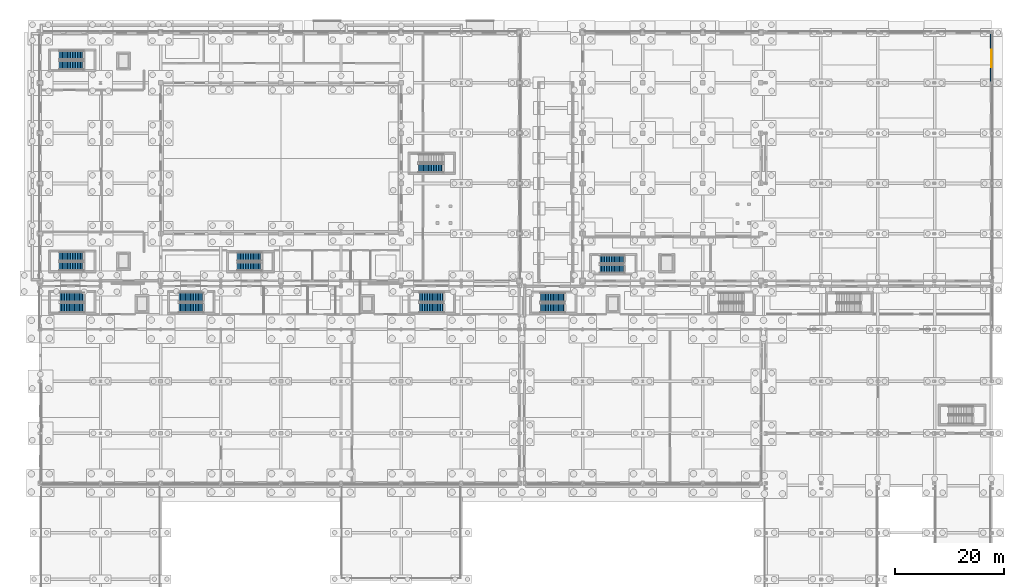
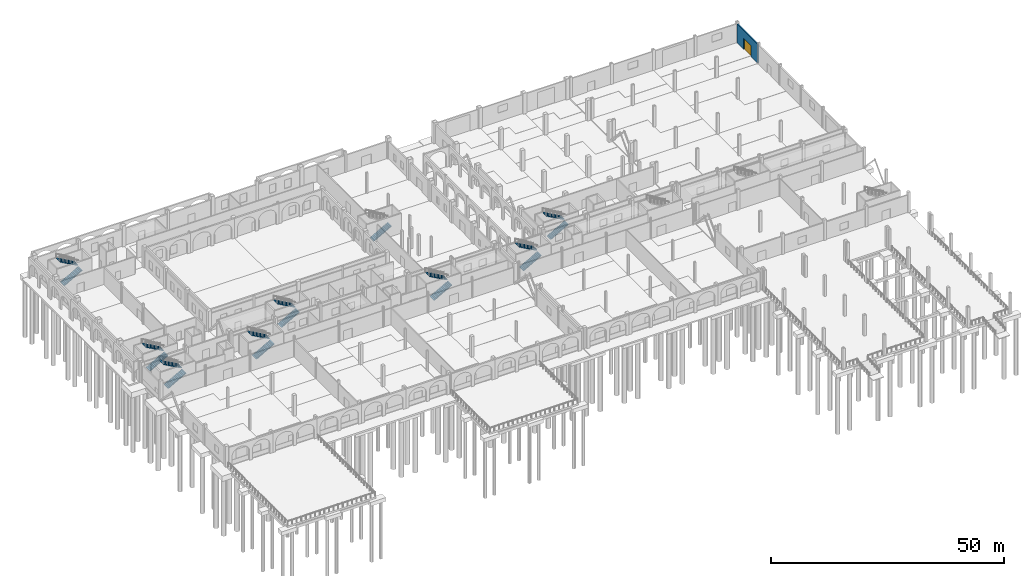
# One storey, part 63 of 83: 17 stair flights, 1 door, 1 wall, 1 opening, 9 elements without a shape of their own.
"""IFC4 building model written with IfcOpenShell, lengths in metres."""

from ifc_helpers import new_model, si_unit, direction, frame, frame_2d, origin, place, context, subcontext, project, spatial, polyline, rectangle, outline, extrude, material, layer, layer_set, type_object, element, fill, aggregate, save


model = new_model("IFC4")

# Units and contexts
model_context = context("Model", 3, precision=1e-05, world=origin(), true_north=direction((0.0, 1.0)))
body_context = subcontext(model_context, "Body", "Model", "MODEL_VIEW")
ifc_project = project(units=[si_unit("LENGTHUNIT", "METRE"), si_unit("AREAUNIT", "SQUARE_METRE"), si_unit("VOLUMEUNIT", "CUBIC_METRE"), si_unit("PLANEANGLEUNIT", "RADIAN"), si_unit("MASSUNIT", "GRAM", prefix="KILO")], contexts=[model_context])

# Site, building, storey
site_placement = place(None, origin())
site = spatial("IfcSite", under=ifc_project, at=site_placement, CompositionType="ELEMENT")
building_placement = place(site_placement, origin())
building = spatial("IfcBuilding", under=site, at=building_placement, Name="Caurita Quay Ferry Terminal", CompositionType="ELEMENT")
storey_placement = place(building_placement, origin())
storey = spatial("IfcBuildingStorey", under=building, at=storey_placement, Name="L00", CompositionType="ELEMENT", Elevation=0.0)

# Wall, opening, door
ifc_material_1 = material(Name="Warm-white lime stucco masonry", Category="masonry")
ifc_layer = layer(ifc_material_1, 0.340087890625, Name="Exterior solidwall wall 340 mm")
ifc_layer_set = layer_set([ifc_layer], Name="Warm-white lime stucco masonry")
wall_type = type_object("IfcWallType", Name="WL-EXT-340", PredefinedType="SOLIDWALL", material=ifc_layer_set)
wall_placement = place(storey_placement, frame((174.0, 107.97607421875, 0.0), z_axis=(0.0, 0.0, 1.0), x_axis=(0.0, 1.0, 0.0)))
wall = element("IfcWall", 1, at=wall_placement, inside=storey, type_object=wall_type, Name="L00 Exterior Wall EW-L00-234", PredefinedType="SOLIDWALL", context=body_context, shape_type="SweptSolid", body=[
    extrude(rectangle(XDim=8.847900390625, YDim=0.340087890625, at=frame_2d((4.423828125, 0.0))), origin(), (0.0, 0.0, 1.0), 4.897705078125),
])
opening_placement = place(wall_placement, frame((2.72412109375, 0.0, 0.0)))
opening = element("IfcOpeningElement", 2, at=opening_placement, cuts=wall, Name="Opening VG-04", PredefinedType="OPENING", context=body_context, shape_type="SweptSolid", body=[
    extrude(rectangle(XDim=3.199951171875, YDim=2.800048828125, at=frame_2d((1.60009765625, 1.39990234375))), frame((0.0, 0.179931640625, 0.0), z_axis=(0.0, -1.0, 0.0), x_axis=(1.0, 0.0, 0.0)), (0.0, 0.0, 1.0), 0.360107421875),
])
ifc_material_2 = material(Name="Bronze architectural metalwork", Category="metal")
door_type = type_object("IfcDoorType", Name="GT-APR-3228", OperationType="ROLLINGUP", PredefinedType="GATE", material=ifc_material_2)
door_placement = place(opening_placement, frame((3.199951171875, 0.0, 0.0), z_axis=(0.0, 0.0, 1.0), x_axis=(-1.0, 0.0, 0.0)))
door = element("IfcDoor", 3, at=door_placement, inside=storey, type_object=door_type, Name="Marine Apron Service Gate VG-05", OperationType="ROLLINGUP", OverallHeight=2.800048828125, OverallWidth=3.199951171875, PredefinedType="GATE", context=body_context, shape_type="SweptSolid", body=[
    extrude(rectangle(XDim=3.199951171875, YDim=2.800048828125, at=frame_2d((1.60009765625, 1.39990234375))), frame((0.0, 0.02490234375, 0.0), z_axis=(0.0, -1.0, 0.0), x_axis=(1.0, 0.0, 0.0)), (0.0, 0.0, 1.0), 0.050048828125),
])
fill(opening, door)

# Stair, stair flights
ifc_material_3 = material(Name="Reinforced concrete C35/45", Category="concrete")
stair_type_1 = type_object("IfcStairType", Name="STR-DL-01", PredefinedType="HALF_TURN_STAIR", material=ifc_material_3)
stair_1_placement = place(storey_placement, origin())
stair_1 = element("IfcStair", 4, at=stair_1_placement, inside=storey, type_object=stair_type_1, Name="L00 Protected Exit Stair ST-01", PredefinedType="HALF_TURN_STAIR")
stair_flight_type_1 = type_object("IfcStairFlightType", Name="FLT-DL-01", PredefinedType="STRAIGHT", material=ifc_material_3)
stair_flight_1_placement = place(storey_placement, frame((3.449951171875, 111.02490234375, 0.0), z_axis=(0.0, 0.0, 1.0), x_axis=(1.0, 0.0, 0.0)))
stair_flight_1 = element("IfcStairFlight", 5, at=stair_flight_1_placement, type_object=stair_flight_type_1, Name="ST-01 flight 1", NumberOfRisers=16, NumberOfTreads=15, PredefinedType="STRAIGHT", RiserHeight=0.16875, TreadLength=0.3, context=body_context, shape_type="SweptSolid", body=[
    extrude(outline(polyline([(0.0, 0.0), (0.0, 0.168701171875), (0.300048828125, 0.168701171875), (0.300048828125, 0.33740234375), (0.60009765625, 0.33740234375), (0.60009765625, 0.50634765625), (0.89990234375, 0.50634765625), (0.89990234375, 0.675048828125), (1.199951171875, 0.675048828125), (1.199951171875, 0.84375), (1.5, 0.84375), (1.5, 1.012451171875), (1.800048828125, 1.012451171875), (1.800048828125, 1.18115234375), (2.10009765625, 1.18115234375), (2.10009765625, 1.35009765625), (2.39990234375, 1.35009765625), (2.39990234375, 1.518798828125), (2.699951171875, 1.518798828125), (2.699951171875, 1.6875), (3.0, 1.6875), (3.0, 1.856201171875), (3.300048828125, 1.856201171875), (3.300048828125, 2.02490234375), (3.60009765625, 2.02490234375), (3.60009765625, 2.19384765625), (3.89990234375, 2.19384765625), (3.89990234375, 2.362548828125), (4.199951171875, 2.362548828125), (4.199951171875, 2.53125), (4.5, 2.53125), (4.5, 2.699951171875), (4.5, 2.359375), (0.3056640625, 0.0), (0.0, 0.0)])), frame((0.0, 0.824951171875, 0.0), z_axis=(0.0, -1.0, 0.0), x_axis=(1.0, 0.0, 0.0)), (0.0, 0.0, 1.0), 1.64990234375),
])
stair_flight_2_placement = place(storey_placement, frame((7.949951171875, 112.8349609375, 2.699951171875), z_axis=(0.0, 0.0, 1.0), x_axis=(-1.0, 0.0, 0.0)))
stair_flight_2 = element("IfcStairFlight", 6, at=stair_flight_2_placement, type_object=stair_flight_type_1, Name="ST-01 flight 2", NumberOfRisers=16, NumberOfTreads=15, PredefinedType="STRAIGHT", RiserHeight=0.16875, TreadLength=0.3, context=body_context, shape_type="SweptSolid", body=[
    extrude(outline(polyline([(0.0, 0.0), (0.0, 0.168701171875), (0.300048828125, 0.168701171875), (0.300048828125, 0.33740234375), (0.60009765625, 0.33740234375), (0.60009765625, 0.50634765625), (0.89990234375, 0.50634765625), (0.89990234375, 0.675048828125), (1.199951171875, 0.675048828125), (1.199951171875, 0.84375), (1.5, 0.84375), (1.5, 1.012451171875), (1.800048828125, 1.012451171875), (1.800048828125, 1.18115234375), (2.10009765625, 1.18115234375), (2.10009765625, 1.35009765625), (2.39990234375, 1.35009765625), (2.39990234375, 1.518798828125), (2.699951171875, 1.518798828125), (2.699951171875, 1.6875), (3.0, 1.6875), (3.0, 1.856201171875), (3.300048828125, 1.856201171875), (3.300048828125, 2.02490234375), (3.60009765625, 2.02490234375), (3.60009765625, 2.19384765625), (3.89990234375, 2.19384765625), (3.89990234375, 2.362548828125), (4.199951171875, 2.362548828125), (4.199951171875, 2.53125), (4.5, 2.53125), (4.5, 2.699951171875), (4.5, 2.359375), (0.3056640625, 0.0), (0.0, 0.0)])), frame((0.0, 0.824951171875, 0.0), z_axis=(0.0, -1.0, 0.0), x_axis=(1.0, 0.0, 0.0)), (0.0, 0.0, 1.0), 1.64990234375),
])
aggregate(stair_1, [stair_flight_1, stair_flight_2])

stair_2_placement = place(storey_placement, origin())
stair_2 = element("IfcStair", 7, at=stair_2_placement, inside=storey, type_object=stair_type_1, Name="L00 Protected Exit Stair ST-02", PredefinedType="HALF_TURN_STAIR")
stair_flight_3_placement = place(storey_placement, frame((3.449951171875, 74.22509765625, 0.0), z_axis=(0.0, 0.0, 1.0), x_axis=(1.0, 0.0, 0.0)))
stair_flight_3 = element("IfcStairFlight", 8, at=stair_flight_3_placement, type_object=stair_flight_type_1, Name="ST-02 flight 1", NumberOfRisers=16, NumberOfTreads=15, PredefinedType="STRAIGHT", RiserHeight=0.16875, TreadLength=0.3, context=body_context, shape_type="SweptSolid", body=[
    extrude(outline(polyline([(0.0, 0.0), (0.0, 0.168701171875), (0.300048828125, 0.168701171875), (0.300048828125, 0.33740234375), (0.60009765625, 0.33740234375), (0.60009765625, 0.50634765625), (0.89990234375, 0.50634765625), (0.89990234375, 0.675048828125), (1.199951171875, 0.675048828125), (1.199951171875, 0.84375), (1.5, 0.84375), (1.5, 1.012451171875), (1.800048828125, 1.012451171875), (1.800048828125, 1.18115234375), (2.10009765625, 1.18115234375), (2.10009765625, 1.35009765625), (2.39990234375, 1.35009765625), (2.39990234375, 1.518798828125), (2.699951171875, 1.518798828125), (2.699951171875, 1.6875), (3.0, 1.6875), (3.0, 1.856201171875), (3.300048828125, 1.856201171875), (3.300048828125, 2.02490234375), (3.60009765625, 2.02490234375), (3.60009765625, 2.19384765625), (3.89990234375, 2.19384765625), (3.89990234375, 2.362548828125), (4.199951171875, 2.362548828125), (4.199951171875, 2.53125), (4.5, 2.53125), (4.5, 2.699951171875), (4.5, 2.359375), (0.3056640625, 0.0), (0.0, 0.0)])), frame((0.0, 0.824951171875, 0.0), z_axis=(0.0, -1.0, 0.0), x_axis=(1.0, 0.0, 0.0)), (0.0, 0.0, 1.0), 1.64990234375),
])
stair_flight_4_placement = place(storey_placement, frame((7.949951171875, 76.034912109375, 2.699951171875), z_axis=(0.0, 0.0, 1.0), x_axis=(-1.0, 0.0, 0.0)))
stair_flight_4 = element("IfcStairFlight", 9, at=stair_flight_4_placement, type_object=stair_flight_type_1, Name="ST-02 flight 2", NumberOfRisers=16, NumberOfTreads=15, PredefinedType="STRAIGHT", RiserHeight=0.16875, TreadLength=0.3, context=body_context, shape_type="SweptSolid", body=[
    extrude(outline(polyline([(0.0, 0.0), (0.0, 0.168701171875), (0.300048828125, 0.168701171875), (0.300048828125, 0.33740234375), (0.60009765625, 0.33740234375), (0.60009765625, 0.50634765625), (0.89990234375, 0.50634765625), (0.89990234375, 0.675048828125), (1.199951171875, 0.675048828125), (1.199951171875, 0.84375), (1.5, 0.84375), (1.5, 1.012451171875), (1.800048828125, 1.012451171875), (1.800048828125, 1.18115234375), (2.10009765625, 1.18115234375), (2.10009765625, 1.35009765625), (2.39990234375, 1.35009765625), (2.39990234375, 1.518798828125), (2.699951171875, 1.518798828125), (2.699951171875, 1.6875), (3.0, 1.6875), (3.0, 1.856201171875), (3.300048828125, 1.856201171875), (3.300048828125, 2.02490234375), (3.60009765625, 2.02490234375), (3.60009765625, 2.19384765625), (3.89990234375, 2.19384765625), (3.89990234375, 2.362548828125), (4.199951171875, 2.362548828125), (4.199951171875, 2.53125), (4.5, 2.53125), (4.5, 2.699951171875), (4.5, 2.359375), (0.3056640625, 0.0), (0.0, 0.0)])), frame((0.0, 0.824951171875, 0.0), z_axis=(0.0, -1.0, 0.0), x_axis=(1.0, 0.0, 0.0)), (0.0, 0.0, 1.0), 1.64990234375),
])
aggregate(stair_2, [stair_flight_3, stair_flight_4])

stair_type_2 = type_object("IfcStairType", Name="STR-DL-04", PredefinedType="HALF_TURN_STAIR", material=ifc_material_3)
stair_3_placement = place(storey_placement, origin())
stair_3 = element("IfcStair", 10, at=stair_3_placement, inside=storey, type_object=stair_type_2, Name="L00 Protected Exit Stair ST-03", PredefinedType="HALF_TURN_STAIR")
stair_flight_type_2 = type_object("IfcStairFlightType", Name="FLT-DL-04", PredefinedType="STRAIGHT", material=ifc_material_3)
stair_flight_5_placement = place(storey_placement, frame((36.0, 74.199951171875, 0.0), z_axis=(0.0, 0.0, 1.0), x_axis=(1.0, 0.0, 0.0)))
stair_flight_5 = element("IfcStairFlight", 11, at=stair_flight_5_placement, type_object=stair_flight_type_2, Name="ST-03 flight 1", NumberOfRisers=16, NumberOfTreads=15, PredefinedType="STRAIGHT", RiserHeight=0.16875, TreadLength=0.3, context=body_context, shape_type="SweptSolid", body=[
    extrude(outline(polyline([(0.0, 0.0), (0.0, 0.168701171875), (0.300048828125, 0.168701171875), (0.300048828125, 0.33740234375), (0.60009765625, 0.33740234375), (0.60009765625, 0.50634765625), (0.89990234375, 0.50634765625), (0.89990234375, 0.675048828125), (1.199951171875, 0.675048828125), (1.199951171875, 0.84375), (1.5, 0.84375), (1.5, 1.012451171875), (1.800048828125, 1.012451171875), (1.800048828125, 1.18115234375), (2.10009765625, 1.18115234375), (2.10009765625, 1.35009765625), (2.39990234375, 1.35009765625), (2.39990234375, 1.518798828125), (2.699951171875, 1.518798828125), (2.699951171875, 1.6875), (3.0, 1.6875), (3.0, 1.856201171875), (3.300048828125, 1.856201171875), (3.300048828125, 2.02490234375), (3.60009765625, 2.02490234375), (3.60009765625, 2.19384765625), (3.89990234375, 2.19384765625), (3.89990234375, 2.362548828125), (4.199951171875, 2.362548828125), (4.199951171875, 2.53125), (4.5, 2.53125), (4.5, 2.699951171875), (4.5, 2.359375), (0.3056640625, 0.0), (0.0, 0.0)])), frame((0.0, 0.800048828125, 0.0), z_axis=(0.0, -1.0, 0.0), x_axis=(1.0, 0.0, 0.0)), (0.0, 0.0, 1.0), 1.60009765625),
])
stair_flight_6_placement = place(storey_placement, frame((40.5, 75.9599609375, 2.699951171875), z_axis=(0.0, 0.0, 1.0), x_axis=(-1.0, 0.0, 0.0)))
stair_flight_6 = element("IfcStairFlight", 12, at=stair_flight_6_placement, type_object=stair_flight_type_2, Name="ST-03 flight 2", NumberOfRisers=16, NumberOfTreads=15, PredefinedType="STRAIGHT", RiserHeight=0.16875, TreadLength=0.3, context=body_context, shape_type="SweptSolid", body=[
    extrude(outline(polyline([(0.0, 0.0), (0.0, 0.168701171875), (0.300048828125, 0.168701171875), (0.300048828125, 0.33740234375), (0.60009765625, 0.33740234375), (0.60009765625, 0.50634765625), (0.89990234375, 0.50634765625), (0.89990234375, 0.675048828125), (1.199951171875, 0.675048828125), (1.199951171875, 0.84375), (1.5, 0.84375), (1.5, 1.012451171875), (1.800048828125, 1.012451171875), (1.800048828125, 1.18115234375), (2.10009765625, 1.18115234375), (2.10009765625, 1.35009765625), (2.39990234375, 1.35009765625), (2.39990234375, 1.518798828125), (2.699951171875, 1.518798828125), (2.699951171875, 1.6875), (3.0, 1.6875), (3.0, 1.856201171875), (3.300048828125, 1.856201171875), (3.300048828125, 2.02490234375), (3.60009765625, 2.02490234375), (3.60009765625, 2.19384765625), (3.89990234375, 2.19384765625), (3.89990234375, 2.362548828125), (4.199951171875, 2.362548828125), (4.199951171875, 2.53125), (4.5, 2.53125), (4.5, 2.699951171875), (4.5, 2.359375), (0.3056640625, 0.0), (0.0, 0.0)])), frame((0.0, 0.800048828125, 0.0), z_axis=(0.0, -1.0, 0.0), x_axis=(1.0, 0.0, 0.0)), (0.0, 0.0, 1.0), 1.60009765625),
])
aggregate(stair_3, [stair_flight_5, stair_flight_6])

# Stair, stair flight
stair_4_placement = place(storey_placement, origin())
stair_4 = element("IfcStair", 13, at=stair_4_placement, inside=storey, type_object=stair_type_2, Name="L00 Protected Exit Stair ST-04", PredefinedType="HALF_TURN_STAIR")
stair_flight_7_placement = place(storey_placement, frame((69.199951171875, 92.199951171875, 0.0), z_axis=(0.0, 0.0, 1.0), x_axis=(1.0, 0.0, 0.0)))
stair_flight_7 = element("IfcStairFlight", 14, at=stair_flight_7_placement, type_object=stair_flight_type_2, Name="ST-04 flight 1", NumberOfRisers=16, NumberOfTreads=15, PredefinedType="STRAIGHT", RiserHeight=0.16875, TreadLength=0.3, context=body_context, shape_type="SweptSolid", body=[
    extrude(outline(polyline([(0.0, 0.0), (0.0, 0.168701171875), (0.300048828125, 0.168701171875), (0.300048828125, 0.33740234375), (0.60009765625, 0.33740234375), (0.60009765625, 0.50634765625), (0.89990234375, 0.50634765625), (0.89990234375, 0.675048828125), (1.199951171875, 0.675048828125), (1.199951171875, 0.84375), (1.5, 0.84375), (1.5, 1.012451171875), (1.800048828125, 1.012451171875), (1.800048828125, 1.18115234375), (2.10009765625, 1.18115234375), (2.10009765625, 1.35009765625), (2.39990234375, 1.35009765625), (2.39990234375, 1.518798828125), (2.699951171875, 1.518798828125), (2.699951171875, 1.6875), (3.0, 1.6875), (3.0, 1.856201171875), (3.300048828125, 1.856201171875), (3.300048828125, 2.02490234375), (3.60009765625, 2.02490234375), (3.60009765625, 2.19384765625), (3.89990234375, 2.19384765625), (3.89990234375, 2.362548828125), (4.199951171875, 2.362548828125), (4.199951171875, 2.53125), (4.5, 2.53125), (4.5, 2.699951171875), (4.5, 2.359375), (0.3056640625, 0.0), (0.0, 0.0)])), frame((0.0, 0.800048828125, 0.0), z_axis=(0.0, -1.0, 0.0), x_axis=(1.0, 0.0, 0.0)), (0.0, 0.0, 1.0), 1.60009765625),
])
aggregate(stair_4, [stair_flight_7])

# Stair, stair flights
stair_type_3 = type_object("IfcStairType", Name="STR-DL-07", PredefinedType="HALF_TURN_STAIR", material=ifc_material_3)
stair_5_placement = place(storey_placement, origin())
stair_5 = element("IfcStair", 15, at=stair_5_placement, inside=storey, type_object=stair_type_3, Name="L00 Protected Exit Stair ST-05", PredefinedType="HALF_TURN_STAIR")
stair_flight_type_3 = type_object("IfcStairFlightType", Name="FLT-DL-07", PredefinedType="STRAIGHT", material=ifc_material_3)
stair_flight_8_placement = place(storey_placement, frame((3.550048828125, 66.675048828125, 0.0), z_axis=(0.0, 0.0, 1.0), x_axis=(1.0, 0.0, 0.0)))
stair_flight_8 = element("IfcStairFlight", 16, at=stair_flight_8_placement, type_object=stair_flight_type_3, Name="ST-05 flight 1", NumberOfRisers=16, NumberOfTreads=15, PredefinedType="STRAIGHT", RiserHeight=0.16875, TreadLength=0.3, context=body_context, shape_type="SweptSolid", body=[
    extrude(outline(polyline([(0.0, 0.0), (0.0, 0.168701171875), (0.300048828125, 0.168701171875), (0.300048828125, 0.33740234375), (0.60009765625, 0.33740234375), (0.60009765625, 0.50634765625), (0.89990234375, 0.50634765625), (0.89990234375, 0.675048828125), (1.199951171875, 0.675048828125), (1.199951171875, 0.84375), (1.5, 0.84375), (1.5, 1.012451171875), (1.800048828125, 1.012451171875), (1.800048828125, 1.18115234375), (2.10009765625, 1.18115234375), (2.10009765625, 1.35009765625), (2.39990234375, 1.35009765625), (2.39990234375, 1.518798828125), (2.699951171875, 1.518798828125), (2.699951171875, 1.6875), (3.0, 1.6875), (3.0, 1.856201171875), (3.300048828125, 1.856201171875), (3.300048828125, 2.02490234375), (3.60009765625, 2.02490234375), (3.60009765625, 2.19384765625), (3.89990234375, 2.19384765625), (3.89990234375, 2.362548828125), (4.199951171875, 2.362548828125), (4.199951171875, 2.53125), (4.5, 2.53125), (4.5, 2.699951171875), (4.5, 2.359375), (0.3056640625, 0.0), (0.0, 0.0)])), frame((0.0, 0.875, 0.0), z_axis=(0.0, -1.0, 0.0), x_axis=(1.0, 0.0, 0.0)), (0.0, 0.0, 1.0), 1.75),
])
stair_flight_9_placement = place(storey_placement, frame((8.050048828125, 68.5849609375, 2.699951171875), z_axis=(0.0, 0.0, 1.0), x_axis=(-1.0, 0.0, 0.0)))
stair_flight_9 = element("IfcStairFlight", 17, at=stair_flight_9_placement, type_object=stair_flight_type_3, Name="ST-05 flight 2", NumberOfRisers=16, NumberOfTreads=15, PredefinedType="STRAIGHT", RiserHeight=0.16875, TreadLength=0.3, context=body_context, shape_type="SweptSolid", body=[
    extrude(outline(polyline([(0.0, 0.0), (0.0, 0.168701171875), (0.300048828125, 0.168701171875), (0.300048828125, 0.33740234375), (0.60009765625, 0.33740234375), (0.60009765625, 0.50634765625), (0.89990234375, 0.50634765625), (0.89990234375, 0.675048828125), (1.199951171875, 0.675048828125), (1.199951171875, 0.84375), (1.5, 0.84375), (1.5, 1.012451171875), (1.800048828125, 1.012451171875), (1.800048828125, 1.18115234375), (2.10009765625, 1.18115234375), (2.10009765625, 1.35009765625), (2.39990234375, 1.35009765625), (2.39990234375, 1.518798828125), (2.699951171875, 1.518798828125), (2.699951171875, 1.6875), (3.0, 1.6875), (3.0, 1.856201171875), (3.300048828125, 1.856201171875), (3.300048828125, 2.02490234375), (3.60009765625, 2.02490234375), (3.60009765625, 2.19384765625), (3.89990234375, 2.19384765625), (3.89990234375, 2.362548828125), (4.199951171875, 2.362548828125), (4.199951171875, 2.53125), (4.5, 2.53125), (4.5, 2.699951171875), (4.5, 2.359375), (0.3056640625, 0.0), (0.0, 0.0)])), frame((0.0, 0.875, 0.0), z_axis=(0.0, -1.0, 0.0), x_axis=(1.0, 0.0, 0.0)), (0.0, 0.0, 1.0), 1.75),
])
aggregate(stair_5, [stair_flight_8, stair_flight_9])

stair_6_placement = place(storey_placement, origin())
stair_6 = element("IfcStair", 18, at=stair_6_placement, inside=storey, type_object=stair_type_3, Name="L00 Protected Exit Stair ST-06", PredefinedType="HALF_TURN_STAIR")
stair_flight_10_placement = place(storey_placement, frame((25.35009765625, 66.675048828125, 0.0), z_axis=(0.0, 0.0, 1.0), x_axis=(1.0, 0.0, 0.0)))
stair_flight_10 = element("IfcStairFlight", 19, at=stair_flight_10_placement, type_object=stair_flight_type_3, Name="ST-06 flight 1", NumberOfRisers=16, NumberOfTreads=15, PredefinedType="STRAIGHT", RiserHeight=0.16875, TreadLength=0.3, context=body_context, shape_type="SweptSolid", body=[
    extrude(outline(polyline([(0.0, 0.0), (0.0, 0.168701171875), (0.300048828125, 0.168701171875), (0.300048828125, 0.33740234375), (0.60009765625, 0.33740234375), (0.60009765625, 0.50634765625), (0.89990234375, 0.50634765625), (0.89990234375, 0.675048828125), (1.199951171875, 0.675048828125), (1.199951171875, 0.84375), (1.5, 0.84375), (1.5, 1.012451171875), (1.800048828125, 1.012451171875), (1.800048828125, 1.18115234375), (2.10009765625, 1.18115234375), (2.10009765625, 1.35009765625), (2.39990234375, 1.35009765625), (2.39990234375, 1.518798828125), (2.699951171875, 1.518798828125), (2.699951171875, 1.6875), (3.0, 1.6875), (3.0, 1.856201171875), (3.300048828125, 1.856201171875), (3.300048828125, 2.02490234375), (3.60009765625, 2.02490234375), (3.60009765625, 2.19384765625), (3.89990234375, 2.19384765625), (3.89990234375, 2.362548828125), (4.199951171875, 2.362548828125), (4.199951171875, 2.53125), (4.5, 2.53125), (4.5, 2.699951171875), (4.5, 2.359375), (0.3056640625, 0.0), (0.0, 0.0)])), frame((0.0, 0.875, 0.0), z_axis=(0.0, -1.0, 0.0), x_axis=(1.0, 0.0, 0.0)), (0.0, 0.0, 1.0), 1.75),
])
stair_flight_11_placement = place(storey_placement, frame((29.85009765625, 68.5849609375, 2.699951171875), z_axis=(0.0, 0.0, 1.0), x_axis=(-1.0, 0.0, 0.0)))
stair_flight_11 = element("IfcStairFlight", 20, at=stair_flight_11_placement, type_object=stair_flight_type_3, Name="ST-06 flight 2", NumberOfRisers=16, NumberOfTreads=15, PredefinedType="STRAIGHT", RiserHeight=0.16875, TreadLength=0.3, context=body_context, shape_type="SweptSolid", body=[
    extrude(outline(polyline([(0.0, 0.0), (0.0, 0.168701171875), (0.300048828125, 0.168701171875), (0.300048828125, 0.33740234375), (0.60009765625, 0.33740234375), (0.60009765625, 0.50634765625), (0.89990234375, 0.50634765625), (0.89990234375, 0.675048828125), (1.199951171875, 0.675048828125), (1.199951171875, 0.84375), (1.5, 0.84375), (1.5, 1.012451171875), (1.800048828125, 1.012451171875), (1.800048828125, 1.18115234375), (2.10009765625, 1.18115234375), (2.10009765625, 1.35009765625), (2.39990234375, 1.35009765625), (2.39990234375, 1.518798828125), (2.699951171875, 1.518798828125), (2.699951171875, 1.6875), (3.0, 1.6875), (3.0, 1.856201171875), (3.300048828125, 1.856201171875), (3.300048828125, 2.02490234375), (3.60009765625, 2.02490234375), (3.60009765625, 2.19384765625), (3.89990234375, 2.19384765625), (3.89990234375, 2.362548828125), (4.199951171875, 2.362548828125), (4.199951171875, 2.53125), (4.5, 2.53125), (4.5, 2.699951171875), (4.5, 2.359375), (0.3056640625, 0.0), (0.0, 0.0)])), frame((0.0, 0.875, 0.0), z_axis=(0.0, -1.0, 0.0), x_axis=(1.0, 0.0, 0.0)), (0.0, 0.0, 1.0), 1.75),
])
aggregate(stair_6, [stair_flight_10, stair_flight_11])

stair_7_placement = place(storey_placement, origin())
stair_7 = element("IfcStair", 21, at=stair_7_placement, inside=storey, type_object=stair_type_3, Name="L00 Protected Exit Stair ST-07", PredefinedType="HALF_TURN_STAIR")
stair_flight_12_placement = place(storey_placement, frame((69.35009765625, 66.675048828125, 0.0), z_axis=(0.0, 0.0, 1.0), x_axis=(1.0, 0.0, 0.0)))
stair_flight_12 = element("IfcStairFlight", 22, at=stair_flight_12_placement, type_object=stair_flight_type_3, Name="ST-07 flight 1", NumberOfRisers=16, NumberOfTreads=15, PredefinedType="STRAIGHT", RiserHeight=0.16875, TreadLength=0.3, context=body_context, shape_type="SweptSolid", body=[
    extrude(outline(polyline([(0.0, 0.0), (0.0, 0.168701171875), (0.300048828125, 0.168701171875), (0.300048828125, 0.33740234375), (0.60009765625, 0.33740234375), (0.60009765625, 0.50634765625), (0.89990234375, 0.50634765625), (0.89990234375, 0.675048828125), (1.199951171875, 0.675048828125), (1.199951171875, 0.84375), (1.5, 0.84375), (1.5, 1.012451171875), (1.800048828125, 1.012451171875), (1.800048828125, 1.18115234375), (2.10009765625, 1.18115234375), (2.10009765625, 1.35009765625), (2.39990234375, 1.35009765625), (2.39990234375, 1.518798828125), (2.699951171875, 1.518798828125), (2.699951171875, 1.6875), (3.0, 1.6875), (3.0, 1.856201171875), (3.300048828125, 1.856201171875), (3.300048828125, 2.02490234375), (3.60009765625, 2.02490234375), (3.60009765625, 2.19384765625), (3.89990234375, 2.19384765625), (3.89990234375, 2.362548828125), (4.199951171875, 2.362548828125), (4.199951171875, 2.53125), (4.5, 2.53125), (4.5, 2.699951171875), (4.5, 2.359375), (0.3056640625, 0.0), (0.0, 0.0)])), frame((0.0, 0.875, 0.0), z_axis=(0.0, -1.0, 0.0), x_axis=(1.0, 0.0, 0.0)), (0.0, 0.0, 1.0), 1.75),
])
stair_flight_13_placement = place(storey_placement, frame((73.85009765625, 68.5849609375, 2.699951171875), z_axis=(0.0, 0.0, 1.0), x_axis=(-1.0, 0.0, 0.0)))
stair_flight_13 = element("IfcStairFlight", 23, at=stair_flight_13_placement, type_object=stair_flight_type_3, Name="ST-07 flight 2", NumberOfRisers=16, NumberOfTreads=15, PredefinedType="STRAIGHT", RiserHeight=0.16875, TreadLength=0.3, context=body_context, shape_type="SweptSolid", body=[
    extrude(outline(polyline([(0.0, 0.0), (0.0, 0.168701171875), (0.300048828125, 0.168701171875), (0.300048828125, 0.33740234375), (0.60009765625, 0.33740234375), (0.60009765625, 0.50634765625), (0.89990234375, 0.50634765625), (0.89990234375, 0.675048828125), (1.199951171875, 0.675048828125), (1.199951171875, 0.84375), (1.5, 0.84375), (1.5, 1.012451171875), (1.800048828125, 1.012451171875), (1.800048828125, 1.18115234375), (2.10009765625, 1.18115234375), (2.10009765625, 1.35009765625), (2.39990234375, 1.35009765625), (2.39990234375, 1.518798828125), (2.699951171875, 1.518798828125), (2.699951171875, 1.6875), (3.0, 1.6875), (3.0, 1.856201171875), (3.300048828125, 1.856201171875), (3.300048828125, 2.02490234375), (3.60009765625, 2.02490234375), (3.60009765625, 2.19384765625), (3.89990234375, 2.19384765625), (3.89990234375, 2.362548828125), (4.199951171875, 2.362548828125), (4.199951171875, 2.53125), (4.5, 2.53125), (4.5, 2.699951171875), (4.5, 2.359375), (0.3056640625, 0.0), (0.0, 0.0)])), frame((0.0, 0.875, 0.0), z_axis=(0.0, -1.0, 0.0), x_axis=(1.0, 0.0, 0.0)), (0.0, 0.0, 1.0), 1.75),
])
aggregate(stair_7, [stair_flight_12, stair_flight_13])

stair_type_4 = type_object("IfcStairType", Name="STR-DL-10", PredefinedType="HALF_TURN_STAIR", material=ifc_material_3)
stair_8_placement = place(storey_placement, origin())
stair_8 = element("IfcStair", 24, at=stair_8_placement, inside=storey, type_object=stair_type_4, Name="L00 Protected Exit Stair ST-08", PredefinedType="HALF_TURN_STAIR")
stair_flight_type_4 = type_object("IfcStairFlightType", Name="FLT-DL-10", PredefinedType="STRAIGHT", material=ifc_material_3)
stair_flight_14_placement = place(storey_placement, frame((91.5, 66.64990234375, 0.0), z_axis=(0.0, 0.0, 1.0), x_axis=(1.0, 0.0, 0.0)))
stair_flight_14 = element("IfcStairFlight", 25, at=stair_flight_14_placement, type_object=stair_flight_type_4, Name="ST-08 flight 1", NumberOfRisers=16, NumberOfTreads=15, PredefinedType="STRAIGHT", RiserHeight=0.16875, TreadLength=0.3, context=body_context, shape_type="SweptSolid", body=[
    extrude(outline(polyline([(0.0, 0.0), (0.0, 0.168701171875), (0.300048828125, 0.168701171875), (0.300048828125, 0.33740234375), (0.60009765625, 0.33740234375), (0.60009765625, 0.50634765625), (0.89990234375, 0.50634765625), (0.89990234375, 0.675048828125), (1.199951171875, 0.675048828125), (1.199951171875, 0.84375), (1.5, 0.84375), (1.5, 1.012451171875), (1.800048828125, 1.012451171875), (1.800048828125, 1.18115234375), (2.10009765625, 1.18115234375), (2.10009765625, 1.35009765625), (2.39990234375, 1.35009765625), (2.39990234375, 1.518798828125), (2.699951171875, 1.518798828125), (2.699951171875, 1.6875), (3.0, 1.6875), (3.0, 1.856201171875), (3.300048828125, 1.856201171875), (3.300048828125, 2.02490234375), (3.60009765625, 2.02490234375), (3.60009765625, 2.19384765625), (3.89990234375, 2.19384765625), (3.89990234375, 2.362548828125), (4.199951171875, 2.362548828125), (4.199951171875, 2.53125), (4.5, 2.53125), (4.5, 2.699951171875), (4.5, 2.359375), (0.3056640625, 0.0), (0.0, 0.0)])), frame((0.0, 0.85009765625, 0.0), z_axis=(0.0, -1.0, 0.0), x_axis=(1.0, 0.0, 0.0)), (0.0, 0.0, 1.0), 1.699951171875),
])
stair_flight_15_placement = place(storey_placement, frame((96.0, 68.510009765625, 2.699951171875), z_axis=(0.0, 0.0, 1.0), x_axis=(-1.0, 0.0, 0.0)))
stair_flight_15 = element("IfcStairFlight", 26, at=stair_flight_15_placement, type_object=stair_flight_type_4, Name="ST-08 flight 2", NumberOfRisers=16, NumberOfTreads=15, PredefinedType="STRAIGHT", RiserHeight=0.16875, TreadLength=0.3, context=body_context, shape_type="SweptSolid", body=[
    extrude(outline(polyline([(0.0, 0.0), (0.0, 0.168701171875), (0.300048828125, 0.168701171875), (0.300048828125, 0.33740234375), (0.60009765625, 0.33740234375), (0.60009765625, 0.50634765625), (0.89990234375, 0.50634765625), (0.89990234375, 0.675048828125), (1.199951171875, 0.675048828125), (1.199951171875, 0.84375), (1.5, 0.84375), (1.5, 1.012451171875), (1.800048828125, 1.012451171875), (1.800048828125, 1.18115234375), (2.10009765625, 1.18115234375), (2.10009765625, 1.35009765625), (2.39990234375, 1.35009765625), (2.39990234375, 1.518798828125), (2.699951171875, 1.518798828125), (2.699951171875, 1.6875), (3.0, 1.6875), (3.0, 1.856201171875), (3.300048828125, 1.856201171875), (3.300048828125, 2.02490234375), (3.60009765625, 2.02490234375), (3.60009765625, 2.19384765625), (3.89990234375, 2.19384765625), (3.89990234375, 2.362548828125), (4.199951171875, 2.362548828125), (4.199951171875, 2.53125), (4.5, 2.53125), (4.5, 2.699951171875), (4.5, 2.359375), (0.3056640625, 0.0), (0.0, 0.0)])), frame((0.0, 0.85009765625, 0.0), z_axis=(0.0, -1.0, 0.0), x_axis=(1.0, 0.0, 0.0)), (0.0, 0.0, 1.0), 1.699951171875),
])
aggregate(stair_8, [stair_flight_14, stair_flight_15])

stair_type_5 = type_object("IfcStairType", Name="STR-DL-12", PredefinedType="HALF_TURN_STAIR", material=ifc_material_3)
stair_9_placement = place(storey_placement, origin())
stair_9 = element("IfcStair", 27, at=stair_9_placement, inside=storey, type_object=stair_type_5, Name="L00 Protected Exit Stair ST-12", PredefinedType="HALF_TURN_STAIR")
stair_flight_type_5 = type_object("IfcStairFlightType", Name="FLT-DL-12", PredefinedType="STRAIGHT", material=ifc_material_3)
stair_flight_16_placement = place(storey_placement, frame((102.35009765625, 73.77490234375, 0.0), z_axis=(0.0, 0.0, 1.0), x_axis=(1.0, 0.0, 0.0)))
stair_flight_16 = element("IfcStairFlight", 28, at=stair_flight_16_placement, type_object=stair_flight_type_5, Name="ST-12 flight 1", NumberOfRisers=16, NumberOfTreads=15, PredefinedType="STRAIGHT", RiserHeight=0.16875, TreadLength=0.3, context=body_context, shape_type="SweptSolid", body=[
    extrude(outline(polyline([(0.0, 0.0), (0.0, 0.168701171875), (0.300048828125, 0.168701171875), (0.300048828125, 0.33740234375), (0.60009765625, 0.33740234375), (0.60009765625, 0.50634765625), (0.89990234375, 0.50634765625), (0.89990234375, 0.675048828125), (1.199951171875, 0.675048828125), (1.199951171875, 0.84375), (1.5, 0.84375), (1.5, 1.012451171875), (1.800048828125, 1.012451171875), (1.800048828125, 1.18115234375), (2.10009765625, 1.18115234375), (2.10009765625, 1.35009765625), (2.39990234375, 1.35009765625), (2.39990234375, 1.518798828125), (2.699951171875, 1.518798828125), (2.699951171875, 1.6875), (3.0, 1.6875), (3.0, 1.856201171875), (3.300048828125, 1.856201171875), (3.300048828125, 2.02490234375), (3.60009765625, 2.02490234375), (3.60009765625, 2.19384765625), (3.89990234375, 2.19384765625), (3.89990234375, 2.362548828125), (4.199951171875, 2.362548828125), (4.199951171875, 2.53125), (4.5, 2.53125), (4.5, 2.699951171875), (4.5, 2.359375), (0.3056640625, 0.0), (0.0, 0.0)])), frame((0.0, 0.77490234375, 0.0), z_axis=(0.0, -1.0, 0.0), x_axis=(1.0, 0.0, 0.0)), (0.0, 0.0, 1.0), 1.550048828125),
])
stair_flight_17_placement = place(storey_placement, frame((106.85009765625, 75.485107421875, 2.699951171875), z_axis=(0.0, 0.0, 1.0), x_axis=(-1.0, 0.0, 0.0)))
stair_flight_17 = element("IfcStairFlight", 29, at=stair_flight_17_placement, type_object=stair_flight_type_5, Name="ST-12 flight 2", NumberOfRisers=16, NumberOfTreads=15, PredefinedType="STRAIGHT", RiserHeight=0.16875, TreadLength=0.3, context=body_context, shape_type="SweptSolid", body=[
    extrude(outline(polyline([(0.0, 0.0), (0.0, 0.168701171875), (0.300048828125, 0.168701171875), (0.300048828125, 0.33740234375), (0.60009765625, 0.33740234375), (0.60009765625, 0.50634765625), (0.89990234375, 0.50634765625), (0.89990234375, 0.675048828125), (1.199951171875, 0.675048828125), (1.199951171875, 0.84375), (1.5, 0.84375), (1.5, 1.012451171875), (1.800048828125, 1.012451171875), (1.800048828125, 1.18115234375), (2.10009765625, 1.18115234375), (2.10009765625, 1.35009765625), (2.39990234375, 1.35009765625), (2.39990234375, 1.518798828125), (2.699951171875, 1.518798828125), (2.699951171875, 1.6875), (3.0, 1.6875), (3.0, 1.856201171875), (3.300048828125, 1.856201171875), (3.300048828125, 2.02490234375), (3.60009765625, 2.02490234375), (3.60009765625, 2.19384765625), (3.89990234375, 2.19384765625), (3.89990234375, 2.362548828125), (4.199951171875, 2.362548828125), (4.199951171875, 2.53125), (4.5, 2.53125), (4.5, 2.699951171875), (4.5, 2.359375), (0.3056640625, 0.0), (0.0, 0.0)])), frame((0.0, 0.77490234375, 0.0), z_axis=(0.0, -1.0, 0.0), x_axis=(1.0, 0.0, 0.0)), (0.0, 0.0, 1.0), 1.550048828125),
])
aggregate(stair_9, [stair_flight_16, stair_flight_17])

save(model, "model.ifc")
